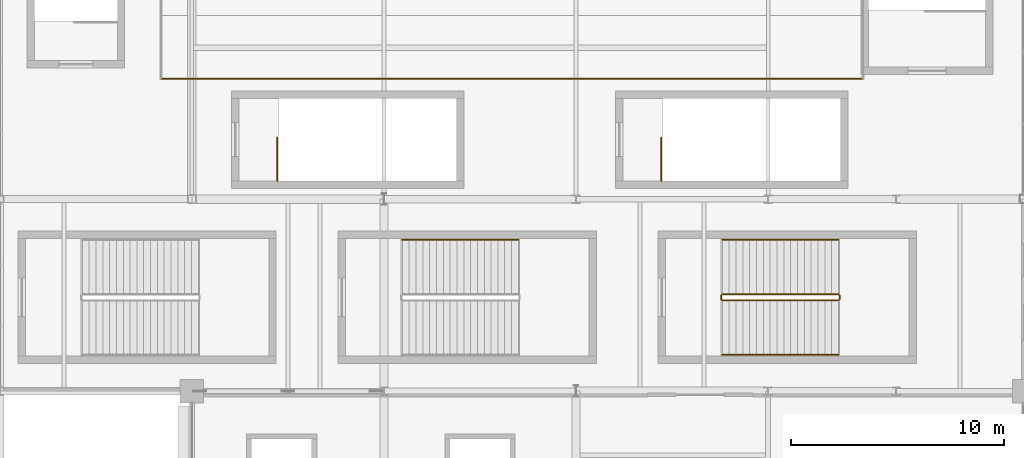
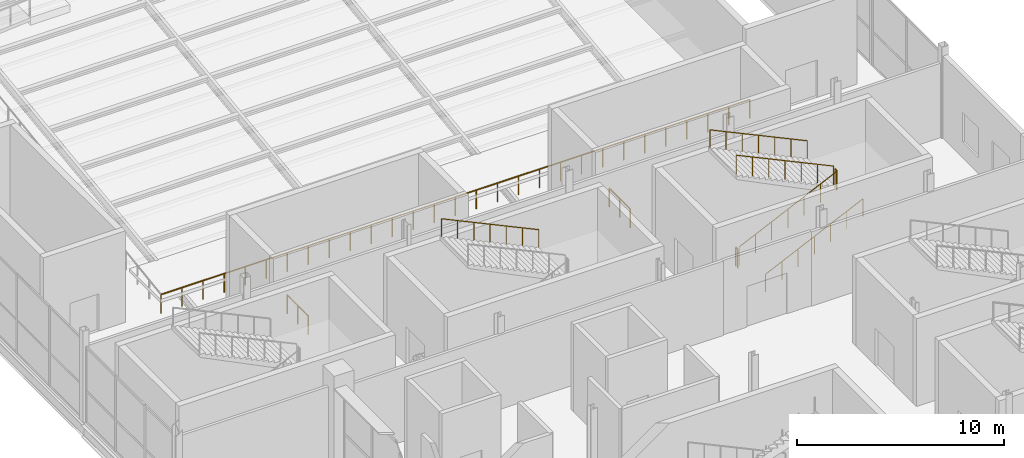
# One storey, part 116 of 119: 10 railings.
"""IFC4 building model written with IfcOpenShell, lengths in metres."""

from ifc_helpers import new_model, si_unit, direction, frame, origin, origin_2d, place, context, subcontext, project, spatial, circle, extrude, material, type_object, element, save


model = new_model("IFC4")

# Units and contexts
model_context = context("Model", 3, precision=1e-05, world=origin(), true_north=direction((0.0, 1.0)))
body_context = subcontext(model_context, "Body", "Model", "MODEL_VIEW")
ifc_project = project(units=[si_unit("LENGTHUNIT", "METRE"), si_unit("AREAUNIT", "SQUARE_METRE"), si_unit("VOLUMEUNIT", "CUBIC_METRE"), si_unit("PLANEANGLEUNIT", "RADIAN"), si_unit("MASSUNIT", "GRAM", prefix="KILO")], contexts=[model_context])

# Site, building, storey
site_placement = place(None, origin())
site = spatial("IfcSite", under=ifc_project, at=site_placement, CompositionType="ELEMENT")
building_placement = place(site_placement, origin())
building = spatial("IfcBuilding", under=site, at=building_placement, Name="Qamarlyn Nura Convention Centre", CompositionType="ELEMENT")
storey_placement = place(building_placement, frame((0.0, 0.0, 5.39990234375)))
storey = spatial("IfcBuildingStorey", under=building, at=storey_placement, Name="L01", CompositionType="ELEMENT", Elevation=5.39990234375)

# Railings
ifc_material = material(Name="Marine Grade 316 stainless steel", Category="steel")
railing_type_1 = type_object("IfcRailingType", Name="GRD-STAIR-112", PredefinedType="BALUSTRADE", material=ifc_material)
railing_1_placement = place(storey_placement, frame((177.860107421875, 85.260009765625, 0.150146484375)))
element("IfcRailing", 1, at=railing_1_placement, inside=storey, type_object=railing_type_1, Name="L01 ST-17 stair guard 1", PredefinedType="BALUSTRADE", context=body_context, shape_type="SweptSolid", body=[
    extrude(circle(Radius=0.02392578125, at=origin_2d()), frame((0.0, 0.0, 1.09619140625), z_axis=(0.90545405566, 0.0, 0.424444287379), x_axis=(0.0, 1.0, 0.0)), (0.0, 0.0, 1.0), 6.008056640625),
    extrude(circle(Radius=0.02099609375, at=origin_2d()), origin(), (0.0, 0.0, 1.0), 1.070068359375),
    extrude(circle(Radius=0.02099609375, at=origin_2d()), frame((0.90673828125, 0.0, 0.425048828125)), (0.0, 0.0, 1.0), 1.070068359375),
    extrude(circle(Radius=0.02099609375, at=origin_2d()), frame((1.813232421875, 0.0, 0.85009765625)), (0.0, 0.0, 1.0), 1.070068359375),
    extrude(circle(Radius=0.02099609375, at=origin_2d()), frame((2.719970703125, 0.0, 1.27490234375)), (0.0, 0.0, 1.0), 1.070068359375),
    extrude(circle(Radius=0.02099609375, at=origin_2d()), frame((3.626708984375, 0.0, 1.699951171875)), (0.0, 0.0, 1.0), 1.070068359375),
    extrude(circle(Radius=0.02099609375, at=origin_2d()), frame((4.533203125, 0.0, 2.125)), (0.0, 0.0, 1.0), 1.070068359375),
    extrude(circle(Radius=0.02099609375, at=origin_2d()), frame((5.43994140625, 0.0, 2.550048828125)), (0.0, 0.0, 1.0), 1.070068359375),
])
railing_2_placement = place(storey_placement, frame((183.35009765625, 85.31005859375, 2.7001953125)))
element("IfcRailing", 2, at=railing_2_placement, inside=storey, type_object=railing_type_1, Name="L01 ST-17 stair guard 2", PredefinedType="BALUSTRADE", context=body_context, shape_type="SweptSolid", body=[
    extrude(circle(Radius=0.02392578125, at=origin_2d()), frame((0.0, 0.0, 1.09619140625), z_axis=(0.0, 1.0, 0.0), x_axis=(-1.0, 0.0, 0.0)), (0.0, 0.0, 1.0), 0.179931640625),
    extrude(circle(Radius=0.02099609375, at=origin_2d()), origin(), (0.0, 0.0, 1.0), 1.070068359375),
    extrude(circle(Radius=0.02099609375, at=origin_2d()), frame((0.0, 0.179931640625, 0.0)), (0.0, 0.0, 1.0), 1.070068359375),
])
railing_3_placement = place(storey_placement, frame((183.300048828125, 85.5400390625, 2.85009765625)))
element("IfcRailing", 3, at=railing_3_placement, inside=storey, type_object=railing_type_1, Name="L01 ST-17 stair guard 3", PredefinedType="BALUSTRADE", context=body_context, shape_type="SweptSolid", body=[
    extrude(circle(Radius=0.02392578125, at=origin_2d()), frame((0.0, 0.0, 1.09619140625), z_axis=(-0.90545405566, 0.0, 0.424444287379), x_axis=(0.0, -1.0, 0.0)), (0.0, 0.0, 1.0), 6.008056640625),
    extrude(circle(Radius=0.02099609375, at=origin_2d()), origin(), (0.0, 0.0, 1.0), 1.070068359375),
    extrude(circle(Radius=0.02099609375, at=origin_2d()), frame((-0.90673828125, 0.0, 0.425048828125)), (0.0, 0.0, 1.0), 1.070068359375),
    extrude(circle(Radius=0.02099609375, at=origin_2d()), frame((-1.813232421875, 0.0, 0.85009765625)), (0.0, 0.0, 1.0), 1.070068359375),
    extrude(circle(Radius=0.02099609375, at=origin_2d()), frame((-2.719970703125, 0.0, 1.27490234375)), (0.0, 0.0, 1.0), 1.070068359375),
    extrude(circle(Radius=0.02099609375, at=origin_2d()), frame((-3.626708984375, 0.0, 1.699951171875)), (0.0, 0.0, 1.0), 1.070068359375),
    extrude(circle(Radius=0.02099609375, at=origin_2d()), frame((-4.533203125, 0.0, 2.125)), (0.0, 0.0, 1.0), 1.070068359375),
    extrude(circle(Radius=0.02099609375, at=origin_2d()), frame((-5.43994140625, 0.0, 2.550048828125)), (0.0, 0.0, 1.0), 1.070068359375),
])
railing_4_placement = place(storey_placement, frame((177.81005859375, 85.31005859375, 0.0)))
element("IfcRailing", 4, at=railing_4_placement, inside=storey, type_object=railing_type_1, Name="L01 ST-17 stair guard 4", PredefinedType="BALUSTRADE", context=body_context, shape_type="SweptSolid", body=[
    extrude(circle(Radius=0.02392578125, at=origin_2d()), frame((0.0, 0.0, 1.09619140625), z_axis=(0.0, 1.0, 0.0), x_axis=(-1.0, 0.0, 0.0)), (0.0, 0.0, 1.0), 0.179931640625),
    extrude(circle(Radius=0.02099609375, at=origin_2d()), origin(), (0.0, 0.0, 1.0), 1.070068359375),
    extrude(circle(Radius=0.02099609375, at=origin_2d()), frame((0.0, 0.179931640625, 0.0)), (0.0, 0.0, 1.0), 1.070068359375),
])
for number, where, name in (
    (5, (157.0, 90.85009765625, 0.0), "L01 ST-VOM3 top well guard 1"),
    (6, (175.0, 90.85009765625, 0.0), "L01 ST-VOM4 top well guard 1"),
):
    element("IfcRailing", number, at=place(storey_placement, frame(where)), inside=storey, type_object=railing_type_1, Name=name, PredefinedType="BALUSTRADE", context=body_context, shape_type="SweptSolid", body=[
        extrude(circle(Radius=0.02392578125, at=origin_2d()), frame((0.0, 0.0, 1.09619140625), z_axis=(0.0, 1.0, 0.0), x_axis=(-1.0, 0.0, 0.0)), (0.0, 0.0, 1.0), 2.02978515625),
        extrude(circle(Radius=0.02099609375, at=origin_2d()), origin(), (0.0, 0.0, 1.0), 1.070068359375),
        extrude(circle(Radius=0.02099609375, at=origin_2d()), frame((0.0, 1.014892578125, 0.0)), (0.0, 0.0, 1.0), 1.070068359375),
        extrude(circle(Radius=0.02099609375, at=origin_2d()), frame((0.0, 2.02978515625, 0.0)), (0.0, 0.0, 1.0), 1.070068359375),
    ])
railing_type_2 = type_object("IfcRailingType", Name="GRD-VOID-112", PredefinedType="BALUSTRADE", material=ifc_material)
railing_5_placement = place(storey_placement, frame((151.550048828125, 95.64990234375, 0.25)))
element("IfcRailing", 7, at=railing_5_placement, inside=storey, type_object=railing_type_2, Name="Plenary stand front crowd barrier guard", PredefinedType="BALUSTRADE", context=body_context, shape_type="SweptSolid", body=[
    extrude(circle(Radius=0.02392578125, at=origin_2d()), frame((0.0, 0.0, 1.09619140625), z_axis=(1.0, 0.0, 0.0), x_axis=(0.0, 1.0, 0.0)), (0.0, 0.0, 1.0), 32.89990234375),
    extrude(circle(Radius=0.02099609375, at=origin_2d()), origin(), (0.0, 0.0, 1.0), 1.070068359375),
    extrude(circle(Radius=0.02099609375, at=origin_2d()), frame((1.175048828125, 0.0, 0.0)), (0.0, 0.0, 1.0), 1.070068359375),
    extrude(circle(Radius=0.02099609375, at=origin_2d()), frame((2.35009765625, 0.0, 0.0)), (0.0, 0.0, 1.0), 1.070068359375),
    extrude(circle(Radius=0.02099609375, at=origin_2d()), frame((3.52490234375, 0.0, 0.0)), (0.0, 0.0, 1.0), 1.070068359375),
    extrude(circle(Radius=0.02099609375, at=origin_2d()), frame((4.699951171875, 0.0, 0.0)), (0.0, 0.0, 1.0), 1.070068359375),
    extrude(circle(Radius=0.02099609375, at=origin_2d()), frame((5.875, 0.0, 0.0)), (0.0, 0.0, 1.0), 1.070068359375),
    extrude(circle(Radius=0.02099609375, at=origin_2d()), frame((7.050048828125, 0.0, 0.0)), (0.0, 0.0, 1.0), 1.070068359375),
    extrude(circle(Radius=0.02099609375, at=origin_2d()), frame((8.22509765625, 0.0, 0.0)), (0.0, 0.0, 1.0), 1.070068359375),
    extrude(circle(Radius=0.02099609375, at=origin_2d()), frame((9.39990234375, 0.0, 0.0)), (0.0, 0.0, 1.0), 1.070068359375),
    extrude(circle(Radius=0.02099609375, at=origin_2d()), frame((10.574951171875, 0.0, 0.0)), (0.0, 0.0, 1.0), 1.070068359375),
    extrude(circle(Radius=0.02099609375, at=origin_2d()), frame((11.75, 0.0, 0.0)), (0.0, 0.0, 1.0), 1.070068359375),
    extrude(circle(Radius=0.02099609375, at=origin_2d()), frame((12.925048828125, 0.0, 0.0)), (0.0, 0.0, 1.0), 1.070068359375),
    extrude(circle(Radius=0.02099609375, at=origin_2d()), frame((14.099853515625, 0.0, 0.0)), (0.0, 0.0, 1.0), 1.070068359375),
    extrude(circle(Radius=0.02099609375, at=origin_2d()), frame((15.27490234375, 0.0, 0.0)), (0.0, 0.0, 1.0), 1.070068359375),
    extrude(circle(Radius=0.02099609375, at=origin_2d()), frame((16.449951171875, 0.0, 0.0)), (0.0, 0.0, 1.0), 1.070068359375),
    extrude(circle(Radius=0.02099609375, at=origin_2d()), frame((17.625, 0.0, 0.0)), (0.0, 0.0, 1.0), 1.070068359375),
    extrude(circle(Radius=0.02099609375, at=origin_2d()), frame((18.800048828125, 0.0, 0.0)), (0.0, 0.0, 1.0), 1.070068359375),
    extrude(circle(Radius=0.02099609375, at=origin_2d()), frame((19.974853515625, 0.0, 0.0)), (0.0, 0.0, 1.0), 1.070068359375),
    extrude(circle(Radius=0.02099609375, at=origin_2d()), frame((21.14990234375, 0.0, 0.0)), (0.0, 0.0, 1.0), 1.070068359375),
    extrude(circle(Radius=0.02099609375, at=origin_2d()), frame((22.324951171875, 0.0, 0.0)), (0.0, 0.0, 1.0), 1.070068359375),
    extrude(circle(Radius=0.02099609375, at=origin_2d()), frame((23.5, 0.0, 0.0)), (0.0, 0.0, 1.0), 1.070068359375),
    extrude(circle(Radius=0.02099609375, at=origin_2d()), frame((24.6748046875, 0.0, 0.0)), (0.0, 0.0, 1.0), 1.070068359375),
    extrude(circle(Radius=0.02099609375, at=origin_2d()), frame((25.849853515625, 0.0, 0.0)), (0.0, 0.0, 1.0), 1.070068359375),
    extrude(circle(Radius=0.02099609375, at=origin_2d()), frame((27.02490234375, 0.0, 0.0)), (0.0, 0.0, 1.0), 1.070068359375),
    extrude(circle(Radius=0.02099609375, at=origin_2d()), frame((28.199951171875, 0.0, 0.0)), (0.0, 0.0, 1.0), 1.070068359375),
    extrude(circle(Radius=0.02099609375, at=origin_2d()), frame((29.375, 0.0, 0.0)), (0.0, 0.0, 1.0), 1.070068359375),
    extrude(circle(Radius=0.02099609375, at=origin_2d()), frame((30.5498046875, 0.0, 0.0)), (0.0, 0.0, 1.0), 1.070068359375),
    extrude(circle(Radius=0.02099609375, at=origin_2d()), frame((31.724853515625, 0.0, 0.0)), (0.0, 0.0, 1.0), 1.070068359375),
    extrude(circle(Radius=0.02099609375, at=origin_2d()), frame((32.89990234375, 0.0, 0.0)), (0.0, 0.0, 1.0), 1.070068359375),
])
railing_type_3 = type_object("IfcRailingType", Name="HRL-STAIR-090", PredefinedType="HANDRAIL", material=ifc_material)
railing_6_placement = place(storey_placement, frame((168.300048828125, 88.10009765625, 3.00244140625)))
element("IfcRailing", 8, at=railing_6_placement, inside=storey, type_object=railing_type_3, Name="L01 ST-16 stair handrail 2", PredefinedType="HANDRAIL", context=body_context, shape_type="SweptSolid", body=[
    extrude(circle(Radius=0.02392578125, at=origin_2d()), frame((0.0, 0.0, 0.88818359375), z_axis=(-0.90545405566, 0.0, 0.424444287379), x_axis=(0.0, -1.0, 0.0)), (0.0, 0.0, 1.0), 6.008056640625),
    extrude(circle(Radius=0.02099609375, at=origin_2d()), frame((0.0, 0.0, -0.155029296875)), (0.0, 0.0, 1.0), 1.01708984375),
    extrude(circle(Radius=0.02099609375, at=origin_2d()), frame((-0.90673828125, 0.0, 0.27001953125)), (0.0, 0.0, 1.0), 1.01708984375),
    extrude(circle(Radius=0.02099609375, at=origin_2d()), frame((-1.813232421875, 0.0, 0.695068359375)), (0.0, 0.0, 1.0), 1.01708984375),
    extrude(circle(Radius=0.02099609375, at=origin_2d()), frame((-2.719970703125, 0.0, 1.1201171875)), (0.0, 0.0, 1.0), 1.01708984375),
    extrude(circle(Radius=0.02099609375, at=origin_2d()), frame((-3.626708984375, 0.0, 1.544921875)), (0.0, 0.0, 1.0), 1.01708984375),
    extrude(circle(Radius=0.02099609375, at=origin_2d()), frame((-4.533203125, 0.0, 1.969970703125)), (0.0, 0.0, 1.0), 1.01708984375),
    extrude(circle(Radius=0.02099609375, at=origin_2d()), frame((-5.43994140625, 0.0, 2.39501953125)), (0.0, 0.0, 1.0), 1.01708984375),
])
railing_7_placement = place(storey_placement, frame((177.860107421875, 82.699951171875, 0.302490234375)))
element("IfcRailing", 9, at=railing_7_placement, inside=storey, type_object=railing_type_3, Name="L01 ST-17 stair handrail 1", PredefinedType="HANDRAIL", context=body_context, shape_type="SweptSolid", body=[
    extrude(circle(Radius=0.02392578125, at=origin_2d()), frame((0.0, 0.0, 0.88818359375), z_axis=(0.90546967238, 0.0, 0.424410971113), x_axis=(0.0, 1.0, 0.0)), (0.0, 0.0, 1.0), 6.0078125),
    extrude(circle(Radius=0.02099609375, at=origin_2d()), frame((0.0, 0.0, -0.155029296875)), (0.0, 0.0, 1.0), 1.01708984375),
    extrude(circle(Radius=0.02099609375, at=origin_2d()), frame((0.90673828125, 0.0, 0.27001953125)), (0.0, 0.0, 1.0), 1.01708984375),
    extrude(circle(Radius=0.02099609375, at=origin_2d()), frame((1.813232421875, 0.0, 0.69482421875)), (0.0, 0.0, 1.0), 1.01708984375),
    extrude(circle(Radius=0.02099609375, at=origin_2d()), frame((2.719970703125, 0.0, 1.119873046875)), (0.0, 0.0, 1.0), 1.01708984375),
    extrude(circle(Radius=0.02099609375, at=origin_2d()), frame((3.626708984375, 0.0, 1.544921875)), (0.0, 0.0, 1.0), 1.01708984375),
    extrude(circle(Radius=0.02099609375, at=origin_2d()), frame((4.533203125, 0.0, 1.9697265625)), (0.0, 0.0, 1.0), 1.01708984375),
    extrude(circle(Radius=0.02099609375, at=origin_2d()), frame((5.43994140625, 0.0, 2.394775390625)), (0.0, 0.0, 1.0), 1.01708984375),
])
railing_8_placement = place(storey_placement, frame((183.300048828125, 88.10009765625, 3.00244140625)))
element("IfcRailing", 10, at=railing_8_placement, inside=storey, type_object=railing_type_3, Name="L01 ST-17 stair handrail 2", PredefinedType="HANDRAIL", context=body_context, shape_type="SweptSolid", body=[
    extrude(circle(Radius=0.02392578125, at=origin_2d()), frame((0.0, 0.0, 0.88818359375), z_axis=(-0.90545405566, 0.0, 0.424444287379), x_axis=(0.0, -1.0, 0.0)), (0.0, 0.0, 1.0), 6.008056640625),
    extrude(circle(Radius=0.02099609375, at=origin_2d()), frame((0.0, 0.0, -0.155029296875)), (0.0, 0.0, 1.0), 1.01708984375),
    extrude(circle(Radius=0.02099609375, at=origin_2d()), frame((-0.90673828125, 0.0, 0.27001953125)), (0.0, 0.0, 1.0), 1.01708984375),
    extrude(circle(Radius=0.02099609375, at=origin_2d()), frame((-1.813232421875, 0.0, 0.695068359375)), (0.0, 0.0, 1.0), 1.01708984375),
    extrude(circle(Radius=0.02099609375, at=origin_2d()), frame((-2.719970703125, 0.0, 1.1201171875)), (0.0, 0.0, 1.0), 1.01708984375),
    extrude(circle(Radius=0.02099609375, at=origin_2d()), frame((-3.626708984375, 0.0, 1.544921875)), (0.0, 0.0, 1.0), 1.01708984375),
    extrude(circle(Radius=0.02099609375, at=origin_2d()), frame((-4.533203125, 0.0, 1.969970703125)), (0.0, 0.0, 1.0), 1.01708984375),
    extrude(circle(Radius=0.02099609375, at=origin_2d()), frame((-5.43994140625, 0.0, 2.39501953125)), (0.0, 0.0, 1.0), 1.01708984375),
])

save(model, "model.ifc")
